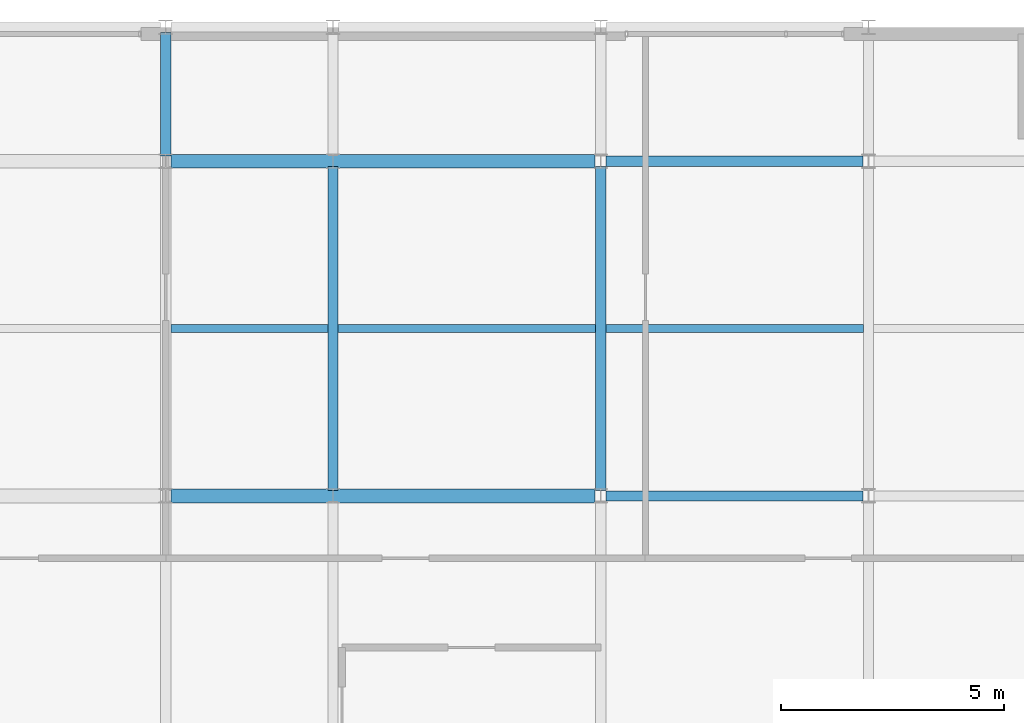
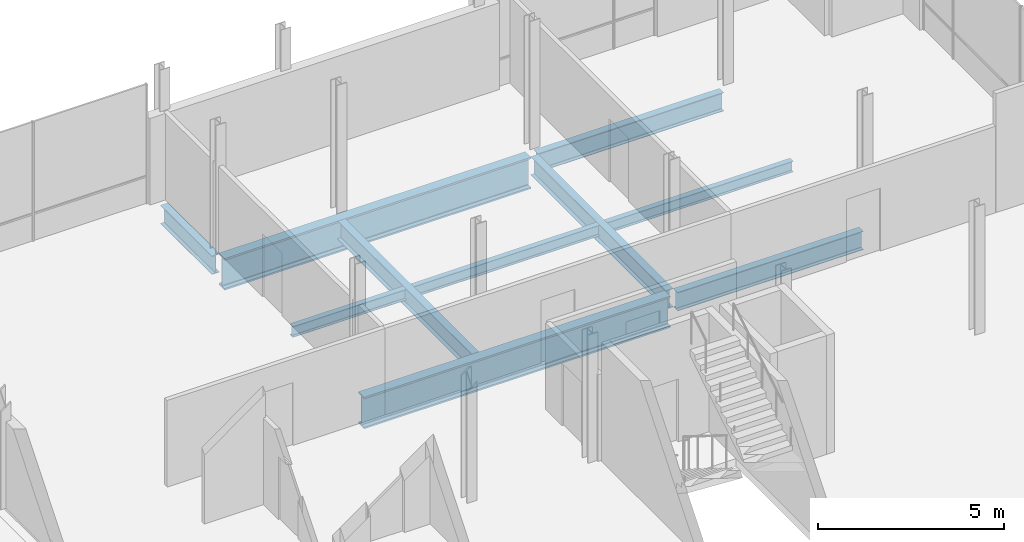
# One storey, part 3 of 11: 10 beams.
"""IFC4 building model written with IfcOpenShell, lengths in metres."""

import ifcopenshell
import ifcopenshell.guid

model = None  # the IFC model being written
_history = None  # IfcOwnerHistory: only IFC2X3 demands one
_inside = {}  # id of a spatial element -> (the spatial element, [elements in it])
_under = {}  # id of a project, library or spatial element -> (it, [spatial elements below it])
_declared = {}  # id of a project -> (the project, [libraries it declares])
_typed = {}  # id of a type object -> (the type object, [elements of that type])
_made_of = {}  # id of a material, layer set ... -> (it, [elements and type objects made of it])


def new_model(schema):
    """Start an empty IFC model of exactly this schema.

    Asked for "IFC4X3", IfcOpenShell would pick the latest addendum, in which some entities
    have other attributes; the version numbers below select the first issue.
    IFC2X3 requires an IfcOwnerHistory on every rooted entity: one is made here for all.
    """
    global model, _history
    if schema == "IFC4X3":
        model = ifcopenshell.file(schema_version=(4, 3, 0, 0))
    else:
        model = ifcopenshell.file(schema=schema)
    _inside.clear()
    _under.clear()
    _declared.clear()
    _typed.clear()
    _made_of.clear()
    _history = None
    if model.schema == "IFC2X3":
        org = make("IfcOrganization", Name="unknown")
        user = make(
            "IfcPersonAndOrganization",
            ThePerson=make("IfcPerson", FamilyName="unknown"),
            TheOrganization=org,
        )
        app = make(
            "IfcApplication",
            ApplicationDeveloper=org,
            Version="unknown",
            ApplicationFullName="unknown",
            ApplicationIdentifier="unknown",
        )
        _history = make(
            "IfcOwnerHistory",
            OwningUser=user,
            OwningApplication=app,
            ChangeAction="ADDED",
            CreationDate=0,
        )
    return model


def make(cls, **values):
    """One entity of the class cls with the attributes given. An attribute that is None is left unset."""
    return model.create_entity(
        cls, **{name: value for name, value in values.items() if value is not None}
    )


def rooted(cls, **values):
    """An entity with a GlobalId (a new one), such as an element, a storey or a relation."""
    return make(cls, GlobalId=ifcopenshell.guid.new(), OwnerHistory=_history, **values)


def si_unit(unit_type, name, prefix=None):
    """IfcSIUnit, for example si_unit("LENGTHUNIT", "METRE", prefix="MILLI")."""
    return make("IfcSIUnit", UnitType=unit_type, Prefix=prefix, Name=name)


def assignment(units):
    """IfcUnitAssignment: the units of a project."""
    return None if units is None else make("IfcUnitAssignment", Units=units)


def point(xyz):
    """IfcCartesianPoint."""
    return None if xyz is None else make("IfcCartesianPoint", Coordinates=xyz)


def direction(xyz):
    """IfcDirection."""
    return None if xyz is None else make("IfcDirection", DirectionRatios=xyz)


def frame(location, z_axis=None, x_axis=None):
    """IfcAxis2Placement3D, a coordinate frame: its origin and axes. An axis left out is left unset."""
    return make(
        "IfcAxis2Placement3D",
        Location=point(location),
        Axis=direction(z_axis),
        RefDirection=direction(x_axis),
    )


def frame_2d(location, x_axis=None):
    """IfcAxis2Placement2D, a coordinate frame in the plane: its origin and x axis."""
    return make(
        "IfcAxis2Placement2D", Location=point(location), RefDirection=direction(x_axis)
    )


def origin():
    """The frame at (0, 0, 0) with its axes left unset."""
    return frame((0.0, 0.0, 0.0))


def origin_2d():
    """The frame at (0, 0) in the plane with its x axis left unset."""
    return frame_2d((0.0, 0.0))


def place(relative_to, where):
    """IfcLocalPlacement: puts the frame where relative to a parent placement (None: the world)."""
    return make(
        "IfcLocalPlacement", PlacementRelTo=relative_to, RelativePlacement=where
    )


def context(
    kind, dimensions, precision=None, world=None, true_north=None, identifier=None
):
    """IfcGeometricRepresentationContext, for example the 3D "Model" context."""
    return make(
        "IfcGeometricRepresentationContext",
        ContextIdentifier=identifier,
        ContextType=kind,
        CoordinateSpaceDimension=dimensions,
        Precision=precision,
        WorldCoordinateSystem=world,
        TrueNorth=true_north,
    )


def subcontext(parent, identifier, kind, view, scale=None):
    """IfcGeometricRepresentationSubContext, for example "Body" below "Model"."""
    return make(
        "IfcGeometricRepresentationSubContext",
        ContextIdentifier=identifier,
        ContextType=kind,
        ParentContext=parent,
        TargetScale=scale,
        TargetView=view,
    )


def project(units=None, contexts=None):
    """IfcProject with its units and contexts."""
    return rooted(
        "IfcProject",
        Name="project",
        RepresentationContexts=contexts,
        UnitsInContext=assignment(units),
    )


def spatial(cls, under=None, at=None, **own):
    """A site, building, storey or space (cls), placed at a placement, below another one or the project."""
    s = rooted(cls, ObjectPlacement=at, **own)
    if under is not None:
        _under.setdefault(under.id(), (under, []))[1].append(s)
    return s


def profile(cls, at=None, kind="AREA", **sizes):
    """A parametric profile (cls). Its sizes go by their IFC names, for example OverallWidth=200.0."""
    return make(cls, ProfileType=kind, Position=at, **sizes)


def i_section(**sizes):
    """IfcIShapeProfileDef."""
    return profile("IfcIShapeProfileDef", **sizes)


def extrude(swept, where, along, depth):
    """IfcExtrudedAreaSolid: the profile swept, set in the frame where, extruded along a direction by depth."""
    return make(
        "IfcExtrudedAreaSolid",
        SweptArea=swept,
        Position=where,
        ExtrudedDirection=direction(along),
        Depth=depth,
    )


def shape(context_of_items, identifier, shape_type, items):
    """IfcShapeRepresentation: the items that make up one representation, for example the "Body"."""
    return make(
        "IfcShapeRepresentation",
        ContextOfItems=context_of_items,
        RepresentationIdentifier=identifier,
        RepresentationType=shape_type,
        Items=items,
    )


def material(Name=None, Category=None):
    """IfcMaterial."""
    return make("IfcMaterial", Name=Name, Category=Category)


def material_profile(
    of_material, cross_section, Name=None, Category=None, Priority=None
):
    """IfcMaterialProfile: a cross section and its material."""
    return make(
        "IfcMaterialProfile",
        Name=Name,
        Material=of_material,
        Profile=cross_section,
        Priority=Priority,
        Category=Category,
    )


def profile_set(profiles, Name=None, composite=None):
    """IfcMaterialProfileSet."""
    return make(
        "IfcMaterialProfileSet",
        Name=Name,
        MaterialProfiles=profiles,
        CompositeProfile=composite,
    )


def made_of(thing, what):
    """Note that an element or type object is made of a material, layer set ...; save() writes the relation."""
    if what is not None:
        _made_of.setdefault(what.id(), (what, []))[1].append(thing)
    return thing


def type_object(cls, material=None, **own):
    """A type object (cls), such as IfcWallType, which elements share."""
    return made_of(rooted(cls, **own), material)


def element(
    cls,
    number,
    at=None,
    inside=None,
    cuts=None,
    type_object=None,
    material=None,
    context=None,
    identifier="Body",
    shape_type=None,
    held_by="IfcProductDefinitionShape",
    body=None,
    shapes=None,
    **own,
):
    """One element of the class cls, such as IfcWall. Its Tag is "e" and its number.

    at: its placement. inside: the storey or other place that contains it. cuts: it is an
    opening in that element (IfcRelVoidsElement). A single representation is given by context,
    identifier, shape_type and body (its items); several are given by shapes. held_by: the class
    of the entity that holds the representations. save() writes the other relations.
    """
    e = rooted(cls, Tag="e%d" % number, ObjectPlacement=at, **own)
    if body is not None:
        shapes = [shape(context, identifier, shape_type, body)]
    if shapes is not None:
        e.Representation = make(held_by, Representations=shapes)
    if inside is not None:
        _inside.setdefault(inside.id(), (inside, []))[1].append(e)
    if cuts is not None:
        rooted(
            "IfcRelVoidsElement", RelatingBuildingElement=cuts, RelatedOpeningElement=e
        )
    if type_object is not None:
        _typed.setdefault(type_object.id(), (type_object, []))[1].append(e)
    return made_of(e, material)


def aggregate(whole, parts):
    """IfcRelAggregates: a whole, such as a stair, and the parts it consists of."""
    return rooted("IfcRelAggregates", RelatingObject=whole, RelatedObjects=parts)


def save(model, path):
    """Write the relations noted so far, then the file.

    IfcRelAggregates (storeys below a building ...), IfcRelContainedInSpatialStructure (elements
    in a storey), IfcRelDefinesByType, IfcRelAssociatesMaterial and IfcRelDeclares: one each for
    every whole, place, type object, material and project.
    """
    for whole, parts in _under.values():
        aggregate(whole, parts)
    for where, things in _inside.values():
        rooted(
            "IfcRelContainedInSpatialStructure",
            RelatedElements=things,
            RelatingStructure=where,
        )
    for kind, things in _typed.values():
        rooted("IfcRelDefinesByType", RelatedObjects=things, RelatingType=kind)
    for what, things in _made_of.values():
        rooted("IfcRelAssociatesMaterial", RelatedObjects=things, RelatingMaterial=what)
    for by, libraries in _declared.values():
        rooted("IfcRelDeclares", RelatingContext=by, RelatedDefinitions=libraries)
    model.write(path)


model = new_model("IFC4")

# Units and contexts
model_context = context("Model", 3, precision=1e-05, world=origin(), true_north=direction((0.0, 1.0)))
body_context = subcontext(model_context, "Body", "Model", "MODEL_VIEW")
ifc_project = project(units=[si_unit("LENGTHUNIT", "METRE"), si_unit("AREAUNIT", "SQUARE_METRE"), si_unit("VOLUMEUNIT", "CUBIC_METRE"), si_unit("PLANEANGLEUNIT", "RADIAN"), si_unit("MASSUNIT", "GRAM", prefix="KILO")], contexts=[model_context])

# Site, building, storey
site_placement = place(None, origin())
site = spatial("IfcSite", under=ifc_project, at=site_placement, CompositionType="ELEMENT")
building_placement = place(site_placement, origin())
building = spatial("IfcBuilding", under=site, at=building_placement, Name="Brevholm Reach", CompositionType="ELEMENT")
storey_placement = place(building_placement, frame((0.0, 0.0, 247.25)))
storey = spatial("IfcBuildingStorey", under=building, at=storey_placement, Name="L75", CompositionType="ELEMENT", Elevation=247.25)

# Beams
ifc_material_1 = material(Name="Structural Steel S355J2", Category="steel")
ifc_material_profile_1 = material_profile(ifc_material_1, i_section(OverallWidth=0.17138671875, OverallDepth=0.35498046875, WebThickness=0.00732421875, FlangeThickness=0.011474609375, FilletRadius=0.01025390625, at=origin_2d()), Name="UKB 356x171x51")
ifc_profile_set_1 = profile_set([ifc_material_profile_1], Name="Structural Steel S355J2")
beam_type_1 = type_object("IfcBeamType", Name="BM-B356", PredefinedType="BEAM", material=ifc_profile_set_1)
beam_1_placement = place(storey_placement, frame((38.364501953125, 19.75, -0.4375), z_axis=(1.0, 0.0, 0.0), x_axis=(0.0, 1.0, 0.0)))
element("IfcBeam", 1, at=beam_1_placement, inside=storey, type_object=beam_type_1, Name="L75 Composite Secondary Floor Beam", PredefinedType="BEAM", context=body_context, shape_type="SweptSolid", body=[
    extrude(i_section(OverallWidth=0.17138671875, OverallDepth=0.35498046875, WebThickness=0.00732421875, FlangeThickness=0.011474609375, FilletRadius=0.01025390625, at=origin_2d()), origin(), (0.0, 0.0, 1.0), 3.52099609375),
])
for number, where, z_axis, x_axis, name in (
    (2, (42.114501953125, 19.75, -0.4375), (1.0, 0.0, 0.0), (0.0, 1.0, 0.0), "L75 Composite Secondary Floor Beam"),
    (3, (48.114501953125, 19.75, -0.4375), (1.0, 0.0, 0.0), (0.0, 1.0, 0.0), "L75 Composite Secondary Floor Beam"),
):
    element("IfcBeam", number, at=place(storey_placement, frame(where, z_axis=z_axis, x_axis=x_axis)), inside=storey, type_object=beam_type_1, Name=name, PredefinedType="BEAM", context=body_context, shape_type="SweptSolid", body=[
        extrude(i_section(OverallWidth=0.17138671875, OverallDepth=0.35498046875, WebThickness=0.00732421875, FlangeThickness=0.011474609375, FilletRadius=0.01025390625, at=origin_2d()), origin(), (0.0, 0.0, 1.0), 5.77099609375),
    ])
ifc_material_2 = material(Name="Structural Steel S355J2", Category="steel")
ifc_material_profile_2 = material_profile(ifc_material_2, i_section(OverallWidth=0.22900390625, OverallDepth=0.6123046875, WebThickness=0.011962890625, FlangeThickness=0.01953125, FilletRadius=0.0126953125, at=origin_2d()), Name="UKB 610x229x125")
ifc_profile_set_2 = profile_set([ifc_material_profile_2], Name="Structural Steel S355J2")
beam_type_2 = type_object("IfcBeamType", Name="BM-SP610", PredefinedType="SPANDREL", material=ifc_profile_set_2)
for number, where, z_axis, x_axis, name in (
    (4, (48.1201171875, 16.0, -0.566162109375), (1.0, 0.0, 0.0), (0.0, 1.0, 0.0), "L75 SP-01 Framing Beam"),
    (5, (48.1201171875, 23.5, -0.566162109375), (1.0, 0.0, 0.0), (0.0, 1.0, 0.0), "L75 SP-01 Framing Beam"),
):
    element("IfcBeam", number, at=place(storey_placement, frame(where, z_axis=z_axis, x_axis=x_axis)), inside=storey, type_object=beam_type_2, Name=name, PredefinedType="SPANDREL", context=body_context, shape_type="SweptSolid", body=[
        extrude(i_section(OverallWidth=0.22900390625, OverallDepth=0.6123046875, WebThickness=0.011962890625, FlangeThickness=0.01953125, FilletRadius=0.0126953125, at=origin_2d()), origin(), (0.0, 0.0, 1.0), 5.759765625),
    ])
beam_2_placement = place(storey_placement, frame((38.25, 23.6201171875, -0.566162109375), z_axis=(0.0, 1.0, 0.0), x_axis=(-1.0, 0.0, 0.0)))
element("IfcBeam", 6, at=beam_2_placement, inside=storey, type_object=beam_type_2, Name="L75 SP-01 Framing Beam", PredefinedType="SPANDREL", context=body_context, shape_type="SweptSolid", body=[
    extrude(i_section(OverallWidth=0.22900390625, OverallDepth=0.6123046875, WebThickness=0.011962890625, FlangeThickness=0.01953125, FilletRadius=0.0126953125, at=origin_2d()), origin(), (0.0, 0.0, 1.0), 2.759765625),
])
for number, where, z_axis, x_axis, name in (
    (7, (42.0, 16.1201171875, -0.566162109375), (0.0, 1.0, 0.0), (-1.0, 0.0, 0.0), "L75 SP-01 Framing Beam"),
    (8, (48.0, 16.1201171875, -0.566162109375), (0.0, 1.0, 0.0), (-1.0, 0.0, 0.0), "L75 SP-01 Framing Beam"),
):
    element("IfcBeam", number, at=place(storey_placement, frame(where, z_axis=z_axis, x_axis=x_axis)), inside=storey, type_object=beam_type_2, Name=name, PredefinedType="SPANDREL", context=body_context, shape_type="SweptSolid", body=[
        extrude(i_section(OverallWidth=0.22900390625, OverallDepth=0.6123046875, WebThickness=0.011962890625, FlangeThickness=0.01953125, FilletRadius=0.0126953125, at=origin_2d()), origin(), (0.0, 0.0, 1.0), 7.259765625),
    ])
ifc_material_3 = material(Name="Structural Steel S460ML", Category="steel")
ifc_material_profile_3 = material_profile(ifc_material_3, i_section(OverallWidth=0.30859375, OverallDepth=1.036376953125, WebThickness=0.030029296875, FlangeThickness=0.05419921875, FilletRadius=0.030029296875, at=origin_2d()), Name="UKB 1016x305x487")
ifc_profile_set_3 = profile_set([ifc_material_profile_3], Name="Structural Steel S460ML")
beam_type_3 = type_object("IfcBeamType", Name="BM-UKB1016", PredefinedType="USERDEFINED", material=ifc_profile_set_3)
for number, where, z_axis, x_axis, name in (
    (9, (38.3701171875, 16.0, -0.778076171875), (1.0, 0.0, 0.0), (0.0, 1.0, 0.0), "L75 Sky-Lounge Back-Span Girder 2"),
    (10, (38.3701171875, 23.5, -0.778076171875), (1.0, 0.0, 0.0), (0.0, 1.0, 0.0), "L75 Sky-Lounge Back-Span Girder 2"),
):
    element("IfcBeam", number, at=place(storey_placement, frame(where, z_axis=z_axis, x_axis=x_axis)), inside=storey, type_object=beam_type_3, Name=name, ObjectType="GIRDER", PredefinedType="USERDEFINED", context=body_context, shape_type="SweptSolid", body=[
        extrude(i_section(OverallWidth=0.30859375, OverallDepth=1.036376953125, WebThickness=0.030029296875, FlangeThickness=0.05419921875, FilletRadius=0.030029296875, at=origin_2d()), origin(), (0.0, 0.0, 1.0), 9.5),
    ])

save(model, "model.ifc")
